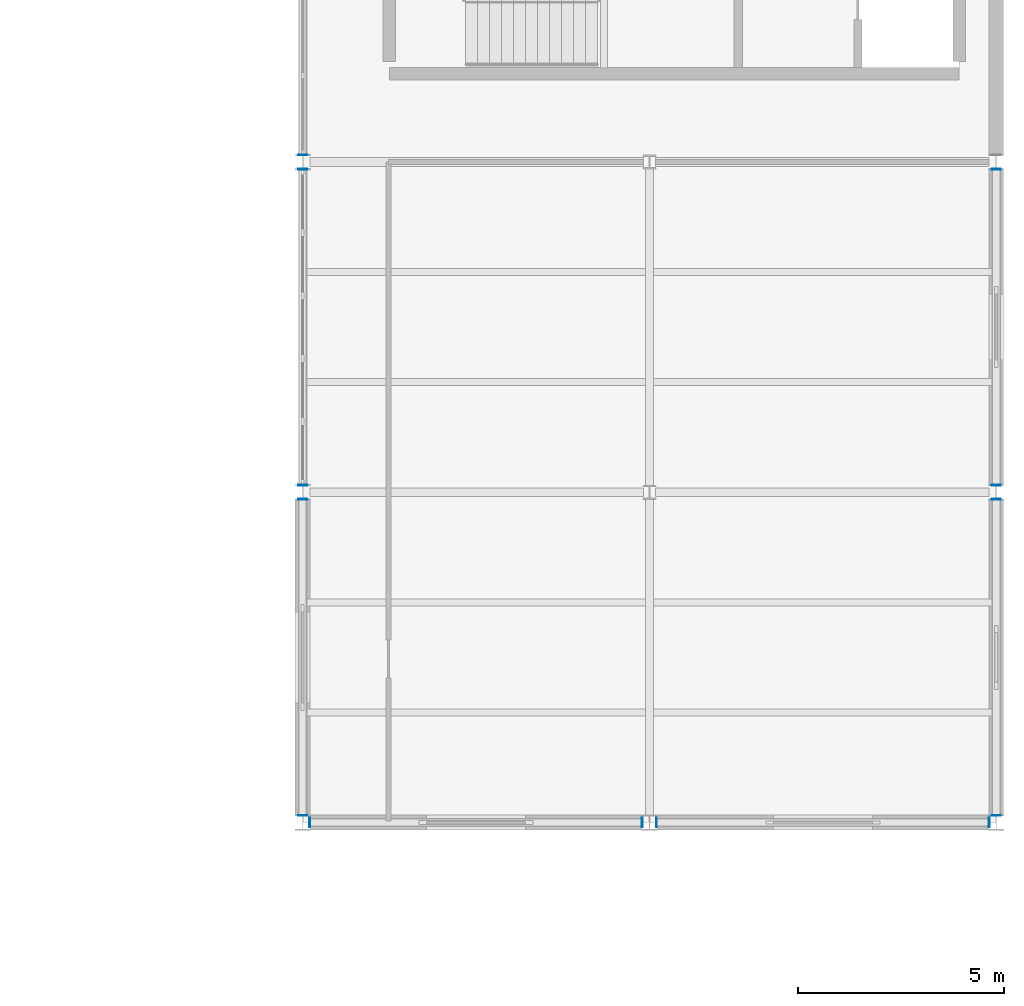
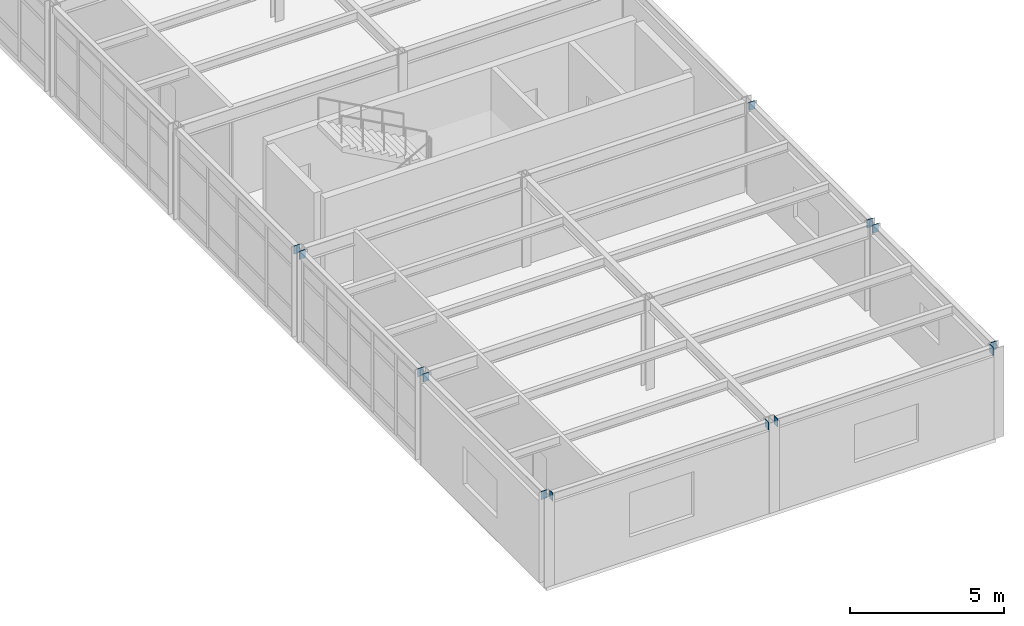
# One storey, part 83 of 96: 13 discrete accessories.
"""IFC4 building model written with IfcOpenShell, lengths in metres."""

from ifc_helpers import new_model, si_unit, direction, frame, origin, origin_2d, place, context, subcontext, project, spatial, rectangle, extrude, material, layer, layer_set, type_object, element, save


model = new_model("IFC4")

# Units and contexts
model_context = context("Model", 3, precision=1e-05, world=origin(), true_north=direction((0.0, 1.0)))
body_context = subcontext(model_context, "Body", "Model", "MODEL_VIEW")
ifc_project = project(units=[si_unit("LENGTHUNIT", "METRE"), si_unit("AREAUNIT", "SQUARE_METRE"), si_unit("VOLUMEUNIT", "CUBIC_METRE"), si_unit("PLANEANGLEUNIT", "RADIAN"), si_unit("MASSUNIT", "GRAM", prefix="KILO")], contexts=[model_context])

# Site, building, storey
site_placement = place(None, origin())
site = spatial("IfcSite", under=ifc_project, at=site_placement, CompositionType="ELEMENT")
building_placement = place(site_placement, origin())
building = spatial("IfcBuilding", under=site, at=building_placement, Name="Kranzveld Transit Interchange", CompositionType="ELEMENT")
storey_placement = place(building_placement, frame((0.0, 0.0, 9.52001953125)))
storey = spatial("IfcBuildingStorey", under=building, at=storey_placement, Name="L02", CompositionType="ELEMENT", Elevation=9.52001953125)

# Discrete accessories
ifc_material = material(Name="Steel S355JR", Category="steel")
ifc_layer = layer(ifc_material, 0.02001953125)
ifc_layer_set = layer_set([ifc_layer], Name="Steel S355JR")
discrete_accessory_type = type_object("IfcDiscreteAccessoryType", Name="Hollow Section End Cap Bracket 20 S355JR", PredefinedType="BRACKET", material=ifc_layer_set)
for number, where, z_axis, x_axis, name in (
    (1, (151.38134765625, 56.0, 3.419921875), (-1.0, 0.0, 0.0), (0.0, -1.0, 0.0), "Hollow Section End Cap SP-RHS300-1"),
    (2, (159.418701171875, 56.0, 3.419921875), (1.0, 0.0, 0.0), (0.0, 1.0, 0.0), "Hollow Section End Cap SP-RHS300-2"),
    (3, (159.78125, 56.0, 3.419921875), (-1.0, 0.0, 0.0), (0.0, -1.0, 0.0), "Hollow Section End Cap SP-RHS300-1"),
    (4, (167.818603515625, 56.0, 3.419921875), (1.0, 0.0, 0.0), (0.0, 1.0, 0.0), "Hollow Section End Cap SP-RHS300-2"),
    (5, (151.199951171875, 56.181396484375, 3.419921875), (0.0, -1.0, 0.0), (1.0, 0.0, 0.0), "Hollow Section End Cap SP-RHS300-1"),
    (6, (151.199951171875, 63.818603515625, 3.419921875), (0.0, 1.0, 0.0), (-1.0, 0.0, 0.0), "Hollow Section End Cap SP-RHS300-2"),
    (7, (151.199951171875, 64.181396484375, 3.419921875), (0.0, -1.0, 0.0), (1.0, 0.0, 0.0), "Hollow Section End Cap SP-RHS300-1"),
    (8, (151.199951171875, 71.818603515625, 3.419921875), (0.0, 1.0, 0.0), (-1.0, 0.0, 0.0), "Hollow Section End Cap SP-RHS300-2"),
    (9, (151.199951171875, 72.181396484375, 3.419921875), (0.0, -1.0, 0.0), (1.0, 0.0, 0.0), "Hollow Section End Cap SP-RHS300-1"),
    (10, (168.0, 56.181396484375, 3.419921875), (0.0, -1.0, 0.0), (1.0, 0.0, 0.0), "Hollow Section End Cap SP-RHS300-1"),
    (11, (168.0, 63.818603515625, 3.419921875), (0.0, 1.0, 0.0), (-1.0, 0.0, 0.0), "Hollow Section End Cap SP-RHS300-2"),
    (12, (168.0, 64.181396484375, 3.419921875), (0.0, -1.0, 0.0), (1.0, 0.0, 0.0), "Hollow Section End Cap SP-RHS300-1"),
    (13, (168.0, 71.818603515625, 3.419921875), (0.0, 1.0, 0.0), (-1.0, 0.0, 0.0), "Hollow Section End Cap SP-RHS300-2"),
):
    element("IfcDiscreteAccessory", number, at=place(storey_placement, frame(where, z_axis=z_axis, x_axis=x_axis)), inside=storey, type_object=discrete_accessory_type, Name=name, PredefinedType="BRACKET", context=body_context, shape_type="SweptSolid", body=[
        extrude(rectangle(XDim=0.22412109375, YDim=0.323974609375, at=origin_2d()), origin(), (0.0, 0.0, 1.0), 0.02001953125),
    ])

save(model, "model.ifc")
